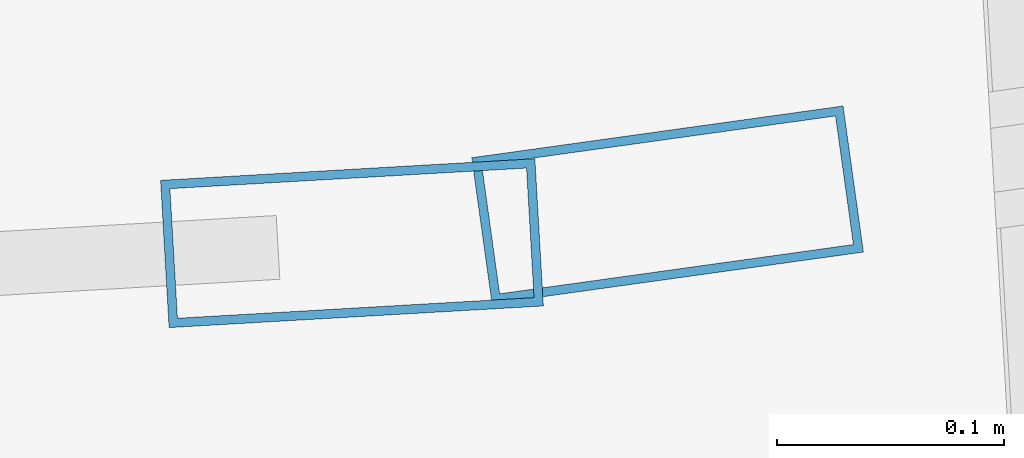
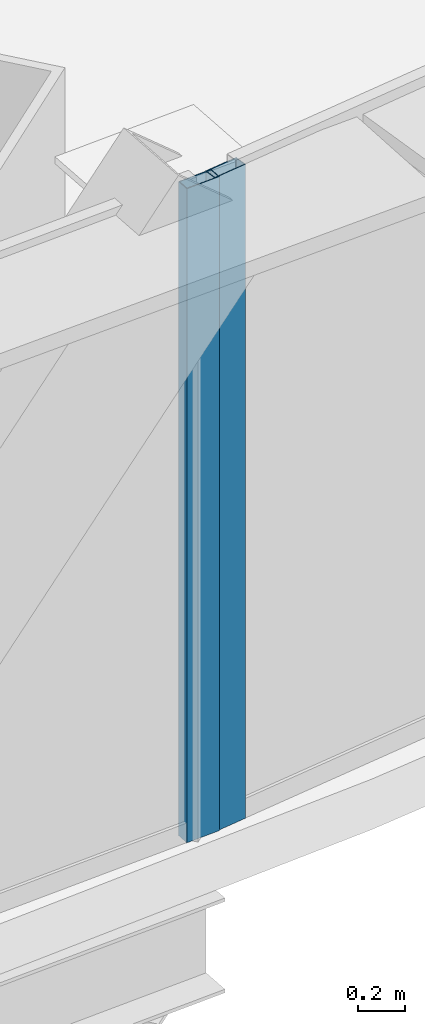
# One storey, part 12 of 37: 2 members, 2 elements without a shape of their own.
"""IFC4 building model written with IfcOpenShell, lengths in metres."""

import ifcopenshell
import ifcopenshell.guid

model = None  # the IFC model being written
_history = None  # IfcOwnerHistory: only IFC2X3 demands one
_inside = {}  # id of a spatial element -> (the spatial element, [elements in it])
_under = {}  # id of a project, library or spatial element -> (it, [spatial elements below it])
_declared = {}  # id of a project -> (the project, [libraries it declares])
_typed = {}  # id of a type object -> (the type object, [elements of that type])
_made_of = {}  # id of a material, layer set ... -> (it, [elements and type objects made of it])


def new_model(schema):
    """Start an empty IFC model of exactly this schema.

    Asked for "IFC4X3", IfcOpenShell would pick the latest addendum, in which some entities
    have other attributes; the version numbers below select the first issue.
    IFC2X3 requires an IfcOwnerHistory on every rooted entity: one is made here for all.
    """
    global model, _history
    if schema == "IFC4X3":
        model = ifcopenshell.file(schema_version=(4, 3, 0, 0))
    else:
        model = ifcopenshell.file(schema=schema)
    _inside.clear()
    _under.clear()
    _declared.clear()
    _typed.clear()
    _made_of.clear()
    _history = None
    if model.schema == "IFC2X3":
        org = make("IfcOrganization", Name="unknown")
        user = make(
            "IfcPersonAndOrganization",
            ThePerson=make("IfcPerson", FamilyName="unknown"),
            TheOrganization=org,
        )
        app = make(
            "IfcApplication",
            ApplicationDeveloper=org,
            Version="unknown",
            ApplicationFullName="unknown",
            ApplicationIdentifier="unknown",
        )
        _history = make(
            "IfcOwnerHistory",
            OwningUser=user,
            OwningApplication=app,
            ChangeAction="ADDED",
            CreationDate=0,
        )
    return model


def make(cls, **values):
    """One entity of the class cls with the attributes given. An attribute that is None is left unset."""
    return model.create_entity(
        cls, **{name: value for name, value in values.items() if value is not None}
    )


def rooted(cls, **values):
    """An entity with a GlobalId (a new one), such as an element, a storey or a relation."""
    return make(cls, GlobalId=ifcopenshell.guid.new(), OwnerHistory=_history, **values)


def si_unit(unit_type, name, prefix=None):
    """IfcSIUnit, for example si_unit("LENGTHUNIT", "METRE", prefix="MILLI")."""
    return make("IfcSIUnit", UnitType=unit_type, Prefix=prefix, Name=name)


def assignment(units):
    """IfcUnitAssignment: the units of a project."""
    return None if units is None else make("IfcUnitAssignment", Units=units)


def point(xyz):
    """IfcCartesianPoint."""
    return None if xyz is None else make("IfcCartesianPoint", Coordinates=xyz)


def direction(xyz):
    """IfcDirection."""
    return None if xyz is None else make("IfcDirection", DirectionRatios=xyz)


def frame(location, z_axis=None, x_axis=None):
    """IfcAxis2Placement3D, a coordinate frame: its origin and axes. An axis left out is left unset."""
    return make(
        "IfcAxis2Placement3D",
        Location=point(location),
        Axis=direction(z_axis),
        RefDirection=direction(x_axis),
    )


def frame_2d(location, x_axis=None):
    """IfcAxis2Placement2D, a coordinate frame in the plane: its origin and x axis."""
    return make(
        "IfcAxis2Placement2D", Location=point(location), RefDirection=direction(x_axis)
    )


def origin():
    """The frame at (0, 0, 0) with its axes left unset."""
    return frame((0.0, 0.0, 0.0))


def origin_2d():
    """The frame at (0, 0) in the plane with its x axis left unset."""
    return frame_2d((0.0, 0.0))


def place(relative_to, where):
    """IfcLocalPlacement: puts the frame where relative to a parent placement (None: the world)."""
    return make(
        "IfcLocalPlacement", PlacementRelTo=relative_to, RelativePlacement=where
    )


def context(
    kind, dimensions, precision=None, world=None, true_north=None, identifier=None
):
    """IfcGeometricRepresentationContext, for example the 3D "Model" context."""
    return make(
        "IfcGeometricRepresentationContext",
        ContextIdentifier=identifier,
        ContextType=kind,
        CoordinateSpaceDimension=dimensions,
        Precision=precision,
        WorldCoordinateSystem=world,
        TrueNorth=true_north,
    )


def subcontext(parent, identifier, kind, view, scale=None):
    """IfcGeometricRepresentationSubContext, for example "Body" below "Model"."""
    return make(
        "IfcGeometricRepresentationSubContext",
        ContextIdentifier=identifier,
        ContextType=kind,
        ParentContext=parent,
        TargetScale=scale,
        TargetView=view,
    )


def project(units=None, contexts=None):
    """IfcProject with its units and contexts."""
    return rooted(
        "IfcProject",
        Name="project",
        RepresentationContexts=contexts,
        UnitsInContext=assignment(units),
    )


def spatial(cls, under=None, at=None, **own):
    """A site, building, storey or space (cls), placed at a placement, below another one or the project."""
    s = rooted(cls, ObjectPlacement=at, **own)
    if under is not None:
        _under.setdefault(under.id(), (under, []))[1].append(s)
    return s


def profile(cls, at=None, kind="AREA", **sizes):
    """A parametric profile (cls). Its sizes go by their IFC names, for example OverallWidth=200.0."""
    return make(cls, ProfileType=kind, Position=at, **sizes)


def hollow_rectangle(**sizes):
    """IfcRectangleHollowProfileDef."""
    return profile("IfcRectangleHollowProfileDef", **sizes)


def extrude(swept, where, along, depth):
    """IfcExtrudedAreaSolid: the profile swept, set in the frame where, extruded along a direction by depth."""
    return make(
        "IfcExtrudedAreaSolid",
        SweptArea=swept,
        Position=where,
        ExtrudedDirection=direction(along),
        Depth=depth,
    )


def shape(context_of_items, identifier, shape_type, items):
    """IfcShapeRepresentation: the items that make up one representation, for example the "Body"."""
    return make(
        "IfcShapeRepresentation",
        ContextOfItems=context_of_items,
        RepresentationIdentifier=identifier,
        RepresentationType=shape_type,
        Items=items,
    )


def source(mapping_origin, context_of_items, identifier, shape_type, items):
    """IfcRepresentationMap: a shape defined once, which mapped items show again and again."""
    return make(
        "IfcRepresentationMap",
        MappingOrigin=mapping_origin,
        MappedRepresentation=shape(context_of_items, identifier, shape_type, items),
    )


def transform(
    local_origin,
    x_axis=None,
    y_axis=None,
    z_axis=None,
    scale=None,
    scale2=None,
    scale3=None,
    uniform=True,
):
    """IfcCartesianTransformationOperator3D, or its non-uniform kind. x_axis, y_axis, z_axis: its Axis1, 2, 3."""
    if uniform:
        return make(
            "IfcCartesianTransformationOperator3D",
            Axis1=direction(x_axis),
            Axis2=direction(y_axis),
            LocalOrigin=point(local_origin),
            Scale=scale,
            Axis3=direction(z_axis),
        )
    return make(
        "IfcCartesianTransformationOperator3DnonUniform",
        Axis1=direction(x_axis),
        Axis2=direction(y_axis),
        LocalOrigin=point(local_origin),
        Scale=scale,
        Axis3=direction(z_axis),
        Scale2=scale2,
        Scale3=scale3,
    )


def mapped(mapping_source, mapping_target):
    """IfcMappedItem: shows the shape of a source again, moved by a transform."""
    return make(
        "IfcMappedItem", MappingSource=mapping_source, MappingTarget=mapping_target
    )


def material(Name=None, Category=None):
    """IfcMaterial."""
    return make("IfcMaterial", Name=Name, Category=Category)


def layer(
    of_material, thickness, ventilated=None, Name=None, Category=None, Priority=None
):
    """IfcMaterialLayer: one layer of a wall or slab, of a material (None: an air gap)."""
    return make(
        "IfcMaterialLayer",
        Material=of_material,
        LayerThickness=thickness,
        IsVentilated=ventilated,
        Name=Name,
        Category=Category,
        Priority=Priority,
    )


def layer_set(layers, Name=None):
    """IfcMaterialLayerSet."""
    return make("IfcMaterialLayerSet", MaterialLayers=layers, LayerSetName=Name)


def material_profile(
    of_material, cross_section, Name=None, Category=None, Priority=None
):
    """IfcMaterialProfile: a cross section and its material."""
    return make(
        "IfcMaterialProfile",
        Name=Name,
        Material=of_material,
        Profile=cross_section,
        Priority=Priority,
        Category=Category,
    )


def profile_set(profiles, Name=None, composite=None):
    """IfcMaterialProfileSet."""
    return make(
        "IfcMaterialProfileSet",
        Name=Name,
        MaterialProfiles=profiles,
        CompositeProfile=composite,
    )


def made_of(thing, what):
    """Note that an element or type object is made of a material, layer set ...; save() writes the relation."""
    if what is not None:
        _made_of.setdefault(what.id(), (what, []))[1].append(thing)
    return thing


def type_object(cls, material=None, **own):
    """A type object (cls), such as IfcWallType, which elements share."""
    return made_of(rooted(cls, **own), material)


def element(
    cls,
    number,
    at=None,
    inside=None,
    cuts=None,
    type_object=None,
    material=None,
    context=None,
    identifier="Body",
    shape_type=None,
    held_by="IfcProductDefinitionShape",
    body=None,
    shapes=None,
    **own,
):
    """One element of the class cls, such as IfcWall. Its Tag is "e" and its number.

    at: its placement. inside: the storey or other place that contains it. cuts: it is an
    opening in that element (IfcRelVoidsElement). A single representation is given by context,
    identifier, shape_type and body (its items); several are given by shapes. held_by: the class
    of the entity that holds the representations. save() writes the other relations.
    """
    e = rooted(cls, Tag="e%d" % number, ObjectPlacement=at, **own)
    if body is not None:
        shapes = [shape(context, identifier, shape_type, body)]
    if shapes is not None:
        e.Representation = make(held_by, Representations=shapes)
    if inside is not None:
        _inside.setdefault(inside.id(), (inside, []))[1].append(e)
    if cuts is not None:
        rooted(
            "IfcRelVoidsElement", RelatingBuildingElement=cuts, RelatedOpeningElement=e
        )
    if type_object is not None:
        _typed.setdefault(type_object.id(), (type_object, []))[1].append(e)
    return made_of(e, material)


def aggregate(whole, parts):
    """IfcRelAggregates: a whole, such as a stair, and the parts it consists of."""
    return rooted("IfcRelAggregates", RelatingObject=whole, RelatedObjects=parts)


def save(model, path):
    """Write the relations noted so far, then the file.

    IfcRelAggregates (storeys below a building ...), IfcRelContainedInSpatialStructure (elements
    in a storey), IfcRelDefinesByType, IfcRelAssociatesMaterial and IfcRelDeclares: one each for
    every whole, place, type object, material and project.
    """
    for whole, parts in _under.values():
        aggregate(whole, parts)
    for where, things in _inside.values():
        rooted(
            "IfcRelContainedInSpatialStructure",
            RelatedElements=things,
            RelatingStructure=where,
        )
    for kind, things in _typed.values():
        rooted("IfcRelDefinesByType", RelatedObjects=things, RelatingType=kind)
    for what, things in _made_of.values():
        rooted("IfcRelAssociatesMaterial", RelatedObjects=things, RelatingMaterial=what)
    for by, libraries in _declared.values():
        rooted("IfcRelDeclares", RelatingContext=by, RelatedDefinitions=libraries)
    model.write(path)


model = new_model("IFC4")

# Units and contexts
model_context = context("Model", 3, precision=1e-05, world=origin(), true_north=direction((0.0, 1.0)))
body_context = subcontext(model_context, "Body", "Model", "MODEL_VIEW")
ifc_project = project(units=[si_unit("LENGTHUNIT", "METRE"), si_unit("AREAUNIT", "SQUARE_METRE"), si_unit("VOLUMEUNIT", "CUBIC_METRE"), si_unit("PLANEANGLEUNIT", "RADIAN"), si_unit("MASSUNIT", "GRAM", prefix="KILO"), si_unit("THERMODYNAMICTEMPERATUREUNIT", "KELVIN"), si_unit("POWERUNIT", "WATT")], contexts=[model_context])

# Site, building, storey
site_placement = place(None, origin())
site = spatial("IfcSite", under=ifc_project, at=site_placement, CompositionType="ELEMENT")
building_placement = place(site_placement, origin())
building = spatial("IfcBuilding", under=site, at=building_placement, Name="Yunzhuo Pagoda Commons", CompositionType="ELEMENT")
storey_placement = place(building_placement, frame((0.0, 0.0, 59.43994140625)))
storey = spatial("IfcBuildingStorey", under=building, at=storey_placement, Name="L15", CompositionType="ELEMENT", Elevation=59.43994140625)

# Curtain wall, member
ifc_material = material(Name="Anodized aluminium 6063-T6", Category="aluminium")
ifc_layer = layer(ifc_material, 0.1650390625)
ifc_layer_set = layer_set([ifc_layer], Name="Anodized aluminium 6063-T6")
curtain_wall_type = type_object("IfcCurtainWallType", Name="CW-LOW Low-Zone Ribbon Curtain Wall", PredefinedType="NOTDEFINED", material=ifc_layer_set)
curtain_wall_1_placement = place(storey_placement, origin())
curtain_wall_1 = element("IfcCurtainWall", 1, at=curtain_wall_1_placement, inside=storey, type_object=curtain_wall_type, Name="L15 curtain wall CW-L15-F1B4", PredefinedType="NOTDEFINED")
ifc_material_profile = material_profile(ifc_material, hollow_rectangle(XDim=0.06494140625, YDim=0.1650390625, WallThickness=0.00390625, at=origin_2d()), Name="Anodized aluminium 6063-T6")
ifc_profile_set = profile_set([ifc_material_profile], Name="Anodized aluminium 6063-T6")
member_type = type_object("IfcMemberType", Name="CW-LOW-M Mullion RHS 165x65x4", PredefinedType="MULLION", material=ifc_profile_set)
shared_shape = source(origin(), body_context, "Body", "SweptSolid", [
    extrude(hollow_rectangle(XDim=0.06494140625, YDim=0.1650390625, WallThickness=0.00390625, at=origin_2d()), origin(), (0.0, 0.0, 1.0), 3.3701171875),
])
member_1_placement = place(storey_placement, frame((66.355224609375, 11.78466796875, 0.0), z_axis=(0.0, 0.0, 1.0), x_axis=(-0.057664069997, 0.998336043139, 0.0)))
member_1 = element("IfcMember", 2, at=member_1_placement, type_object=member_type, Name="CW mullion 2", PredefinedType="MULLION", context=body_context, shape_type="MappedRepresentation", body=[
    mapped(shared_shape, transform((0.0, 0.0, 0.0), scale=1.0)),
])
aggregate(curtain_wall_1, [member_1])

curtain_wall_2_placement = place(storey_placement, origin())
curtain_wall_2 = element("IfcCurtainWall", 3, at=curtain_wall_2_placement, inside=storey, type_object=curtain_wall_type, Name="L15 curtain wall CW-L15-F1B5", PredefinedType="NOTDEFINED")
member_2_placement = place(storey_placement, frame((66.494140625, 11.801513671875, 0.0), z_axis=(0.0, 0.0, 1.0), x_axis=(-0.13790498569, 0.990445462871, 0.0)))
member_2 = element("IfcMember", 4, at=member_2_placement, type_object=member_type, Name="CW mullion 1", PredefinedType="MULLION", context=body_context, shape_type="MappedRepresentation", body=[
    mapped(shared_shape, transform((0.0, 0.0, 0.0), scale=1.0)),
])
aggregate(curtain_wall_2, [member_2])

save(model, "model.ifc")
